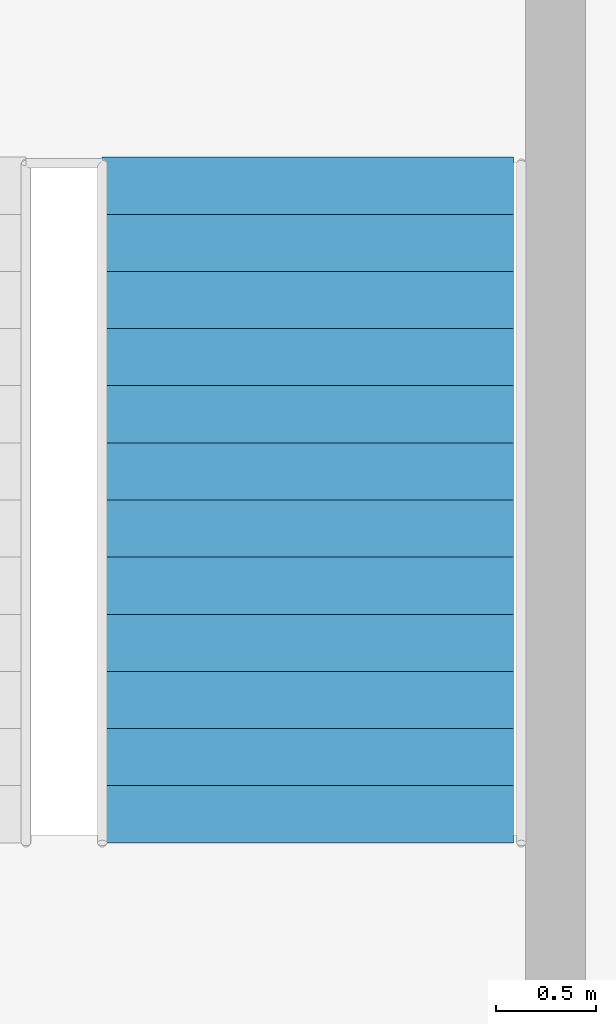
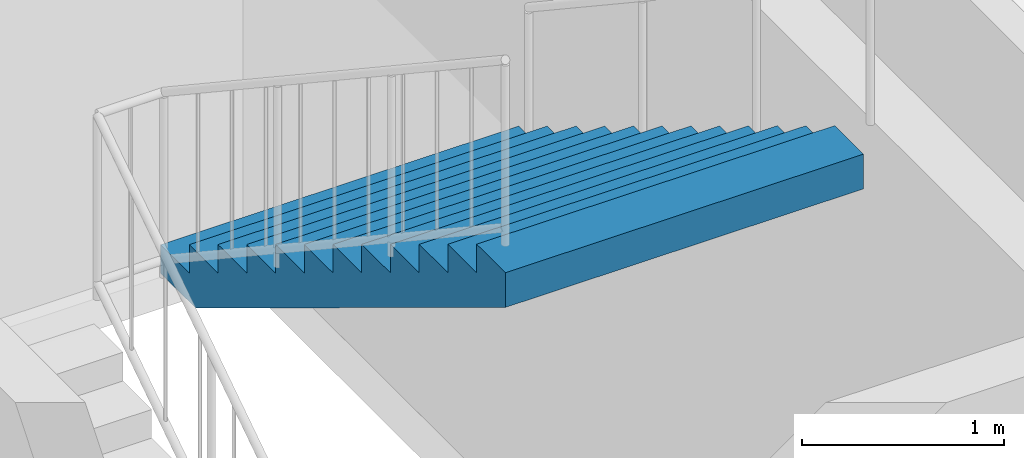
# One storey, part 67 of 75: 1 stair flight, 1 element without a shape of its own.
"""IFC4 building model written with IfcOpenShell, lengths in metres."""

from ifc_helpers import new_model, si_unit, derived_unit, direction, frame, origin, place, context, subcontext, project, spatial, polyline, outline, extrude, material, type_object, element, aggregate, save


model = new_model("IFC4")

# Units and contexts
model_context = context("Model", 3, precision=1e-05, world=origin(), true_north=direction((0.0, 1.0)))
body_context = subcontext(model_context, "Body", "Model", "MODEL_VIEW")
ifc_project = project(units=[si_unit("LENGTHUNIT", "METRE"), si_unit("AREAUNIT", "SQUARE_METRE"), si_unit("VOLUMEUNIT", "CUBIC_METRE"), si_unit("PLANEANGLEUNIT", "RADIAN"), si_unit("MASSUNIT", "GRAM", prefix="KILO"), derived_unit("THERMALTRANSMITTANCEUNIT", [(si_unit("POWERUNIT", "WATT"), 1), (si_unit("LENGTHUNIT", "METRE"), -2), (si_unit("THERMODYNAMICTEMPERATUREUNIT", "KELVIN"), -1)])], contexts=[model_context])

# Site, building, storey
site_placement = place(None, origin())
site = spatial("IfcSite", under=ifc_project, at=site_placement, CompositionType="ELEMENT")
building_placement = place(site_placement, origin())
building = spatial("IfcBuilding", under=site, at=building_placement, Name="Barrovel Congress Hotel", CompositionType="ELEMENT")
storey_placement = place(building_placement, frame((0.0, 0.0, 5.39990234375)))
storey = spatial("IfcBuildingStorey", under=building, at=storey_placement, Name="L01", CompositionType="ELEMENT", Elevation=5.39990234375)

# Stair, stair flight
ifc_material = material(Name="Concrete C40", Category="concrete")
stair_type = type_object("IfcStairType", Name="STR-2Q-450", PredefinedType="TWO_QUARTER_TURN_STAIR", material=ifc_material)
stair_placement = place(storey_placement, origin())
stair = element("IfcStair", 1, at=stair_placement, inside=storey, type_object=stair_type, Name="Exit Stair XS-10 (L01)", PredefinedType="TWO_QUARTER_TURN_STAIR")
stair_flight_type = type_object("IfcStairFlightType", Name="SFL-205x225", PredefinedType="STRAIGHT", material=ifc_material)
stair_flight_placement = place(storey_placement, frame((131.114990234375, 108.199951171875, 2.25), z_axis=(0.0, 0.0, 1.0), x_axis=(0.0, -1.0, 0.0)))
stair_flight = element("IfcStairFlight", 2, at=stair_flight_placement, type_object=stair_flight_type, Name="STAIR:XS-10:L01:F2", NumberOfRisers=13, NumberOfTreads=12, PredefinedType="STRAIGHT", RiserHeight=0.173077, TreadLength=0.285, context=body_context, shape_type="SweptSolid", body=[
    extrude(outline(polyline([(0.0, 0.0), (0.0, 0.173095703125), (0.284912109375, 0.173095703125), (0.284912109375, 0.34619140625), (0.570068359375, 0.34619140625), (0.570068359375, 0.519287109375), (0.85498046875, 0.519287109375), (0.85498046875, 0.6923828125), (1.139892578125, 0.6923828125), (1.139892578125, 0.865478515625), (1.425048828125, 0.865478515625), (1.425048828125, 1.03857421875), (1.7099609375, 1.03857421875), (1.7099609375, 1.21142578125), (1.9951171875, 1.21142578125), (1.9951171875, 1.384521484375), (2.280029296875, 1.384521484375), (2.280029296875, 1.5576171875), (2.56494140625, 1.5576171875), (2.56494140625, 1.730712890625), (2.85009765625, 1.730712890625), (2.85009765625, 1.90380859375), (3.135009765625, 1.90380859375), (3.135009765625, 2.076904296875), (3.419921875, 2.076904296875), (3.419921875, 2.25), (3.419921875, 1.866455078125), (0.3466796875, 0.0), (0.0, 0.0)])), frame((0.0, 1.02490234375, 0.0), z_axis=(0.0, -1.0, 0.0), x_axis=(1.0, 0.0, 0.0)), (0.0, 0.0, 1.0), 2.050048828125),
])
aggregate(stair, [stair_flight])

save(model, "model.ifc")
